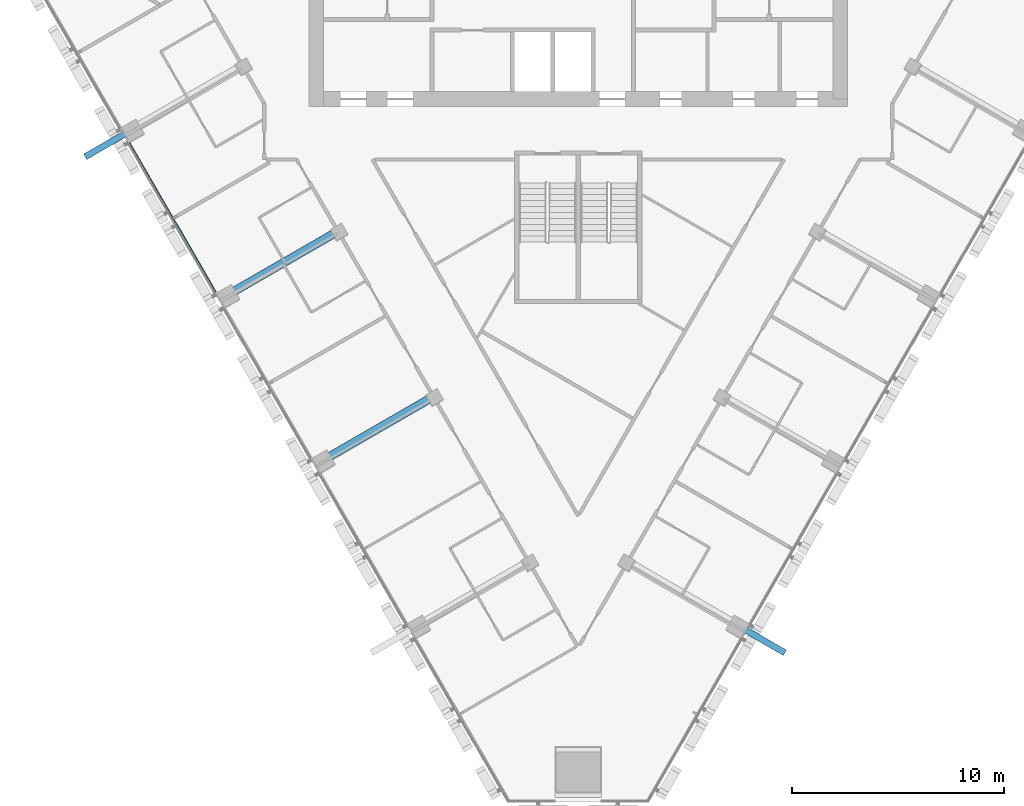
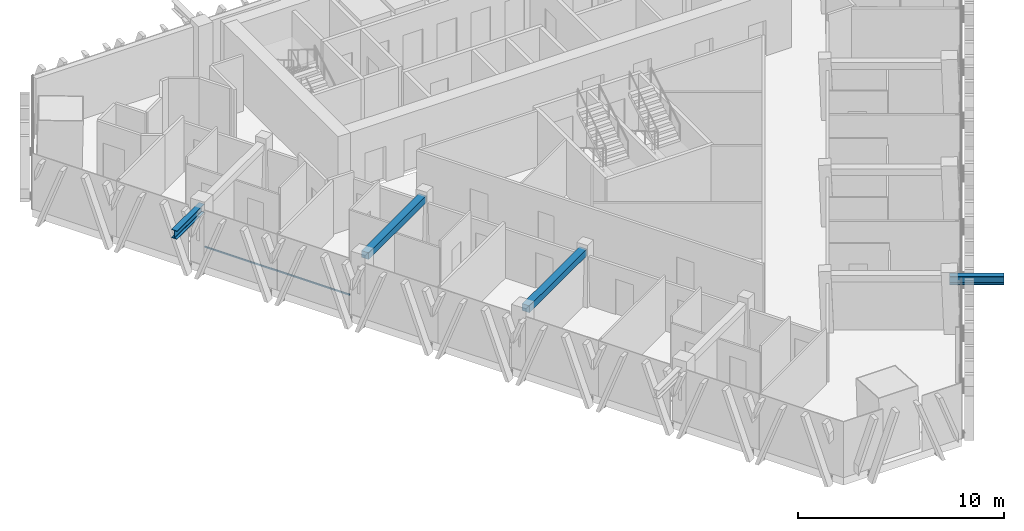
# One storey, part 3 of 15: 3 members, 2 beams, 1 element without a shape of its own.
"""IFC4 building model written with IfcOpenShell, lengths in metres."""

from ifc_helpers import new_model, si_unit, direction, frame, origin, origin_2d, place, context, subcontext, project, spatial, rectangle, i_section, extrude, material, layer, layer_set, material_profile, profile_set, type_object, element, aggregate, save


model = new_model("IFC4")

# Units and contexts
model_context = context("Model", 3, precision=1e-05, world=origin(), true_north=direction((0.0, 1.0)))
body_context = subcontext(model_context, "Body", "Model", "MODEL_VIEW")
ifc_project = project(units=[si_unit("LENGTHUNIT", "METRE"), si_unit("AREAUNIT", "SQUARE_METRE"), si_unit("VOLUMEUNIT", "CUBIC_METRE"), si_unit("PLANEANGLEUNIT", "RADIAN"), si_unit("MASSUNIT", "GRAM", prefix="KILO")], contexts=[model_context])

# Site, building, storey
site_placement = place(None, origin())
site = spatial("IfcSite", under=ifc_project, at=site_placement, CompositionType="ELEMENT")
building_placement = place(site_placement, origin())
building = spatial("IfcBuilding", under=site, at=building_placement, Name="Altiplano Prism Tower", CompositionType="ELEMENT")
storey_placement = place(building_placement, frame((0.0, 0.0, 185.39990234375)))
storey = spatial("IfcBuildingStorey", under=building, at=storey_placement, Name="L48", CompositionType="ELEMENT", Elevation=185.39990234375)

# Members
ifc_material_1 = material(Name="Steel S355", Category="steel")
ifc_material_profile_1 = material_profile(ifc_material_1, i_section(OverallWidth=0.300048828125, OverallDepth=0.5, WebThickness=0.014404296875, FlangeThickness=0.028076171875, FilletRadius=0.027099609375, at=origin_2d()), Name="Brace bracket HEB 500")
ifc_profile_set_1 = profile_set([ifc_material_profile_1], Name="Steel S355")
member_type_1 = type_object("IfcMemberType", Name="Brace bracket HEB 500", PredefinedType="STRUT", material=ifc_profile_set_1)
member_1_placement = place(storey_placement, frame((64.052734375, 91.65087890625, 2.9501953125), z_axis=(-0.866029095148, -0.499993606316, 0.0), x_axis=(0.499993606316, -0.866029095148, 0.0)))
element("IfcMember", 1, at=member_1_placement, inside=storey, type_object=member_type_1, Name="Brace bracket 1.189", PredefinedType="STRUT", context=body_context, shape_type="SweptSolid", body=[
    extrude(i_section(OverallWidth=0.300048828125, OverallDepth=0.5, WebThickness=0.014404296875, FlangeThickness=0.028076171875, FilletRadius=0.027099609375, at=origin_2d()), origin(), (0.0, 0.0, 1.0), 2.64990234375),
])
member_2_placement = place(storey_placement, frame((92.447265625, 68.268310546875, 2.9501953125), z_axis=(0.865989200783, -0.500062700197, 0.0), x_axis=(0.500062700197, 0.865989200783, 0.0)))
element("IfcMember", 2, at=member_2_placement, inside=storey, type_object=member_type_1, Name="Brace bracket 2.189", PredefinedType="STRUT", context=body_context, shape_type="SweptSolid", body=[
    extrude(i_section(OverallWidth=0.300048828125, OverallDepth=0.5, WebThickness=0.014404296875, FlangeThickness=0.028076171875, FilletRadius=0.027099609375, at=origin_2d()), origin(), (0.0, 0.0, 1.0), 2.650146484375),
])

# Curtain wall, member
ifc_material_2 = material(Name="Aluminium and glass", Category="aluminium")
ifc_layer = layer(ifc_material_2, 0.280029296875)
ifc_layer_set = layer_set([ifc_layer], Name="Aluminium and glass")
curtain_wall_type = type_object("IfcCurtainWallType", Name="CW1 typical co-living unitised curtain wall", PredefinedType="NOTDEFINED", material=ifc_layer_set)
curtain_wall_placement = place(storey_placement, origin())
curtain_wall = element("IfcCurtainWall", 3, at=curtain_wall_placement, inside=storey, type_object=curtain_wall_type, Name="CW1 curtain wall south-west face L48", PredefinedType="NOTDEFINED")
ifc_material_3 = material(Name="Aluminium", Category="aluminium")
ifc_material_profile_2 = material_profile(ifc_material_3, rectangle(XDim=0.06005859375, YDim=0.080078125, at=origin_2d()), Name="CW1 transom 80 x 60")
ifc_profile_set_2 = profile_set([ifc_material_profile_2], Name="Aluminium")
member_type_2 = type_object("IfcMemberType", Name="CW1 transom 80 x 60", PredefinedType="USERDEFINED", material=ifc_profile_set_2)
member_3_placement = place(storey_placement, frame((63.843994140625, 90.975341796875, 1.10009765625), z_axis=(0.499994021373, -0.866028855519, 0.0), x_axis=(0.866028855519, 0.499994021373, 0.0)))
member_3 = element("IfcMember", 4, at=member_3_placement, type_object=member_type_2, Name="CW1 transom", ObjectType="TRANSOM", PredefinedType="USERDEFINED", context=body_context, shape_type="SweptSolid", body=[
    extrude(rectangle(XDim=0.06005859375, YDim=0.080078125, at=origin_2d()), origin(), (0.0, 0.0, 1.0), 8.119140625),
])
aggregate(curtain_wall, [member_3])

# Beams
ifc_material_4 = material(Name="Concrete C60/75", Category="concrete")
ifc_material_profile_3 = material_profile(ifc_material_4, rectangle(XDim=0.39990234375, YDim=0.39990234375, at=origin_2d()), Name="Tie beam 400x400")
ifc_profile_set_3 = profile_set([ifc_material_profile_3], Name="Concrete C60/75")
beam_type = type_object("IfcBeamType", Name="Tie beam 400x400", PredefinedType="BEAM", material=ifc_profile_set_3)
for number, where, z_axis, x_axis, name in (
    (5, (73.63623046875, 86.791748046875, 3.10009765625), (-0.866011758658, -0.500023633308, 0.0), (0.500023633308, -0.866011758658, 0.0), "Tie beam I12 L49"),
    (6, (78.13623046875, 78.99755859375, 3.10009765625), (-0.866011758658, -0.500023633308, 0.0), (0.500023633308, -0.866011758658, 0.0), "Tie beam I13 L49"),
):
    element("IfcBeam", number, at=place(storey_placement, frame(where, z_axis=z_axis, x_axis=x_axis)), inside=storey, type_object=beam_type, Name=name, PredefinedType="BEAM", context=body_context, shape_type="SweptSolid", body=[
        extrude(rectangle(XDim=0.39990234375, YDim=0.39990234375, at=origin_2d()), origin(), (0.0, 0.0, 1.0), 5.590087890625),
    ])

save(model, "model.ifc")
